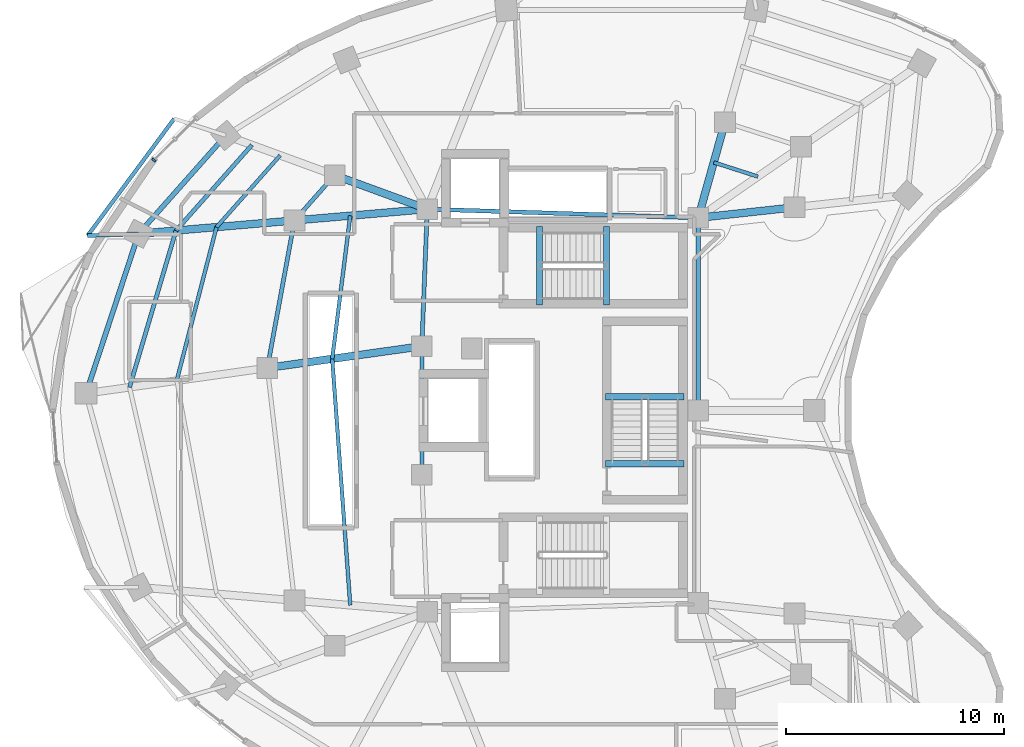
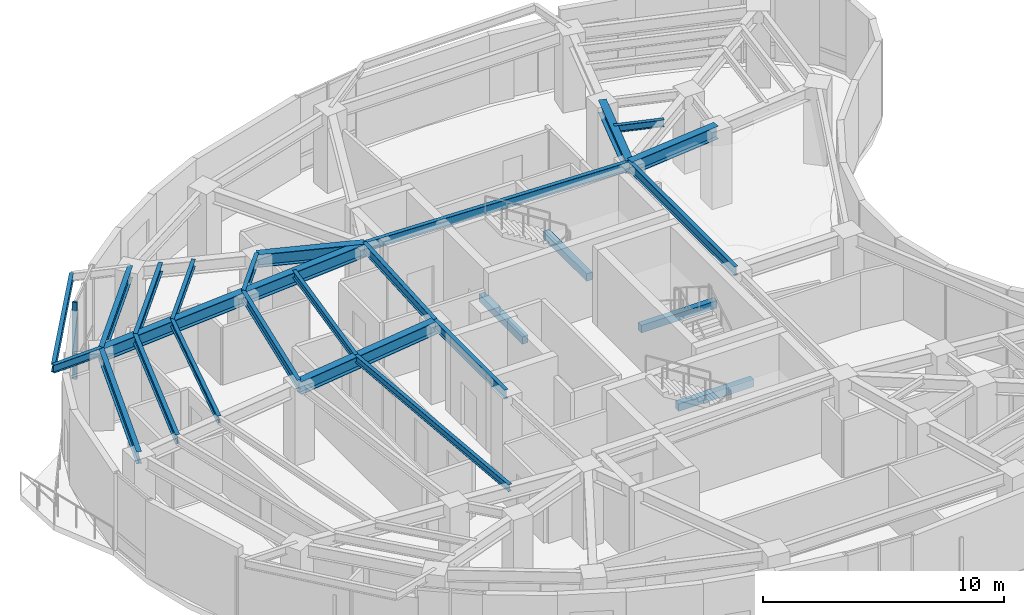
# One storey, part 3 of 12: 27 beams, 1 member, 1 element without a shape of its own.
"""IFC4 building model written with IfcOpenShell, lengths in metres."""

from ifc_helpers import new_model, si_unit, direction, frame, origin, origin_2d, place, context, subcontext, project, spatial, rectangle, i_section, extrude, material, layer, layer_set, material_profile, profile_set, type_object, element, aggregate, save


model = new_model("IFC4")

# Units and contexts
model_context = context("Model", 3, precision=1e-05, world=origin(), true_north=direction((0.0, 1.0)))
body_context = subcontext(model_context, "Body", "Model", "MODEL_VIEW")
ifc_project = project(units=[si_unit("LENGTHUNIT", "METRE"), si_unit("AREAUNIT", "SQUARE_METRE"), si_unit("VOLUMEUNIT", "CUBIC_METRE"), si_unit("PLANEANGLEUNIT", "RADIAN"), si_unit("MASSUNIT", "GRAM", prefix="KILO")], contexts=[model_context])

# Site, building, storey
site_placement = place(None, origin())
site = spatial("IfcSite", under=ifc_project, at=site_placement, CompositionType="ELEMENT")
building_placement = place(site_placement, origin())
building = spatial("IfcBuilding", under=site, at=building_placement, Name="Korentha Bioscience Tower", CompositionType="ELEMENT")
storey_placement = place(building_placement, frame((0.0, 0.0, 179.39990234375)))
storey = spatial("IfcBuildingStorey", under=building, at=storey_placement, Name="L41", CompositionType="ELEMENT", Elevation=179.39990234375)

# Beams
ifc_material_1 = material(Name="Concrete C50", Category="concrete")
ifc_material_profile_1 = material_profile(ifc_material_1, rectangle(XDim=0.280029296875, YDim=0.3798828125, at=origin_2d()), Name="Concrete C50")
ifc_profile_set_1 = profile_set([ifc_material_profile_1], Name="Concrete C50 (ST-HB380)")
beam_type_1 = type_object("IfcBeamType", Name="Concrete Stair Header Beam RC 280x380", PredefinedType="BEAM", material=ifc_profile_set_1)
for number, where, z_axis, x_axis, name in (
    (1, (30.25, 31.85009765625, -0.18994140625), (0.0, 1.0, 0.0), (-1.0, 0.0, 0.0), "L41 ST-1 Concrete Stair Header Beam"),
    (2, (33.330078125, 31.85009765625, 1.91015625), (0.0, 1.0, 0.0), (-1.0, 0.0, 0.0), "L41 ST-1 Half-Landing Header Beam 1"),
    (3, (36.89990234375, 24.550048828125, -0.18994140625), (-1.0, 0.0, 0.0), (0.0, -1.0, 0.0), "L41 ST-3 Concrete Stair Header Beam"),
    (4, (36.89990234375, 27.6298828125, 1.91015625), (-1.0, 0.0, 0.0), (0.0, -1.0, 0.0), "L41 ST-3 Half-Landing Header Beam 1"),
):
    element("IfcBeam", number, at=place(storey_placement, frame(where, z_axis=z_axis, x_axis=x_axis)), inside=storey, type_object=beam_type_1, Name=name, PredefinedType="BEAM", context=body_context, shape_type="SweptSolid", body=[
        extrude(rectangle(XDim=0.280029296875, YDim=0.3798828125, at=origin_2d()), origin(), (0.0, 0.0, 1.0), 3.599853515625),
    ])
ifc_material_2 = material(Name="Steel S355", Category="steel")
ifc_material_profile_2 = material_profile(ifc_material_2, i_section(OverallWidth=0.18994140625, OverallDepth=0.45703125, WebThickness=0.009033203125, FlangeThickness=0.014404296875, at=origin_2d()), Name="Steel S355")
ifc_profile_set_2 = profile_set([ifc_material_profile_2], Name="Steel S355 (MB-460)")
beam_type_2 = type_object("IfcBeamType", Name="Mid-Ring Tie Girder W460x74", PredefinedType="BEAM", material=ifc_profile_set_2)
beam_1_placement = place(storey_placement, frame((20.84228515625, 37.807861328125, 3.671630859375), z_axis=(-0.663512238321, -0.748165429299, 0.0), x_axis=(0.748165429299, -0.663512238321, 0.0)))
element("IfcBeam", 5, at=beam_1_placement, inside=storey, type_object=beam_type_2, Name="L41 Mid-Ring Tie Girder 05", PredefinedType="BEAM", context=body_context, shape_type="SweptSolid", body=[
    extrude(i_section(OverallWidth=0.18994140625, OverallDepth=0.45703125, WebThickness=0.009033203125, FlangeThickness=0.014404296875, at=origin_2d()), origin(), (0.0, 0.0, 1.0), 2.77734375),
])
beam_2_placement = place(storey_placement, frame((18.99951171875, 35.72998046875, 3.671630859375), z_axis=(-0.180880998363, -0.98350498953, 0.0), x_axis=(0.98350498953, -0.180880998363, 0.0)))
element("IfcBeam", 6, at=beam_2_placement, inside=storey, type_object=beam_type_2, Name="L41 Mid-Ring Tie Girder 06", PredefinedType="BEAM", context=body_context, shape_type="SweptSolid", body=[
    extrude(i_section(OverallWidth=0.18994140625, OverallDepth=0.45703125, WebThickness=0.009033203125, FlangeThickness=0.014404296875, at=origin_2d()), origin(), (0.0, 0.0, 1.0), 6.888916015625),
])
beam_3_placement = place(storey_placement, frame((37.550048828125, 35.85009765625, 3.671630859375), z_axis=(-0.999484526071, 0.032104238723, 0.0), x_axis=(-0.032104238723, -0.999484526071, 0.0)))
element("IfcBeam", 7, at=beam_3_placement, inside=storey, type_object=beam_type_2, Name="L41 Core Ring Tie Girder 01", PredefinedType="BEAM", context=body_context, shape_type="SweptSolid", body=[
    extrude(i_section(OverallWidth=0.18994140625, OverallDepth=0.45703125, WebThickness=0.009033203125, FlangeThickness=0.014404296875, at=origin_2d()), origin(), (0.0, 0.0, 1.0), 12.456298828125),
])
beam_4_placement = place(storey_placement, frame((25.10009765625, 36.25, 3.671630859375), z_axis=(-0.039651025576, -0.999213588864, 0.0), x_axis=(0.999213588864, -0.039651025576, 0.0)))
element("IfcBeam", 8, at=beam_4_placement, inside=storey, type_object=beam_type_2, Name="L41 Core Ring Tie Girder 02", PredefinedType="BEAM", context=body_context, shape_type="SweptSolid", body=[
    extrude(i_section(OverallWidth=0.18994140625, OverallDepth=0.45703125, WebThickness=0.009033203125, FlangeThickness=0.014404296875, at=origin_2d()), origin(), (0.0, 0.0, 1.0), 6.304931640625),
])
beam_5_placement = place(storey_placement, frame((24.85009765625, 29.949951171875, 3.671630859375), z_axis=(0.0, -1.0, 0.0), x_axis=(1.0, 0.0, 0.0)))
element("IfcBeam", 9, at=beam_5_placement, inside=storey, type_object=beam_type_2, Name="L41 Core Ring Tie Girder 03", PredefinedType="BEAM", context=body_context, shape_type="SweptSolid", body=[
    extrude(i_section(OverallWidth=0.18994140625, OverallDepth=0.45703125, WebThickness=0.009033203125, FlangeThickness=0.014404296875, at=origin_2d()), origin(), (0.0, 0.0, 1.0), 5.89990234375),
])
beam_6_placement = place(storey_placement, frame((37.550048828125, 27.0, 3.671630859375), z_axis=(0.0, 1.0, 0.0), x_axis=(-1.0, 0.0, 0.0)))
element("IfcBeam", 10, at=beam_6_placement, inside=storey, type_object=beam_type_2, Name="L41 Core Ring Tie Girder 07", PredefinedType="BEAM", context=body_context, shape_type="SweptSolid", body=[
    extrude(i_section(OverallWidth=0.18994140625, OverallDepth=0.45703125, WebThickness=0.009033203125, FlangeThickness=0.014404296875, at=origin_2d()), origin(), (0.0, 0.0, 1.0), 8.85009765625),
])

# Curtain wall, member
ifc_material_3 = material(Name="Thermally Broken Aluminium Frame", Category="aluminium")
ifc_layer = layer(ifc_material_3, 0.219970703125, Name="Thermally Broken Aluminium Frame")
ifc_layer_set = layer_set([ifc_layer], Name="Thermally Broken Aluminium Frame (CW-T1)")
curtain_wall_type = type_object("IfcCurtainWallType", Name="Standard Bioscience Lab Unitised Curtain Wall CW-T1", PredefinedType="USERDEFINED", material=ifc_layer_set)
curtain_wall_placement = place(storey_placement, origin())
curtain_wall = element("IfcCurtainWall", 11, at=curtain_wall_placement, inside=storey, type_object=curtain_wall_type, Name="L41 Curtain Wall 13", ObjectType="UNITISED", PredefinedType="USERDEFINED")
ifc_material_4 = material(Name="Anodised Aluminium 6063-T6", Category="aluminium")
ifc_material_profile_3 = material_profile(ifc_material_4, rectangle(XDim=0.090087890625, YDim=0.199951171875, at=origin_2d()), Name="Anodised Aluminium 6063-T6")
ifc_profile_set_3 = profile_set([ifc_material_profile_3], Name="Anodised Aluminium 6063-T6 (CW-MUL)")
member_type = type_object("IfcMemberType", Name="Mullion RECT 90x200", PredefinedType="MULLION", material=ifc_profile_set_3)
member_placement = place(storey_placement, frame((12.53515625, 38.502685546875, 0.0), z_axis=(0.0, 0.0, 1.0), x_axis=(-0.711460557971, -0.702726030862, 0.0)))
member = element("IfcMember", 12, at=member_placement, type_object=member_type, Name="CW-L41-13 Mullion 3", PredefinedType="MULLION", context=body_context, shape_type="SweptSolid", body=[
    extrude(rectangle(XDim=0.090087890625, YDim=0.199951171875, at=origin_2d()), origin(), (0.0, 0.0, 1.0), 3.900146484375),
])
aggregate(curtain_wall, [member])

# Beams
ifc_material_profile_4 = material_profile(ifc_material_2, i_section(OverallWidth=0.22802734375, OverallDepth=0.60791015625, WebThickness=0.01123046875, FlangeThickness=0.017333984375, at=origin_2d()), Name="Steel S355")
ifc_profile_set_4 = profile_set([ifc_material_profile_4], Name="Steel S355 (SB-610)")
beam_type_3 = type_object("IfcBeamType", Name="Perimeter Ring Spandrel Girder W610x113", PredefinedType="SPANDREL", material=ifc_profile_set_4)
beam_7_placement = place(storey_placement, frame((15.843994140625, 39.63671875, 3.59619140625), z_axis=(-0.663502544942, -0.748174025782, 0.0), x_axis=(0.748174025782, -0.663502544942, 0.0)))
element("IfcBeam", 13, at=beam_7_placement, inside=storey, type_object=beam_type_3, Name="L41 Perimeter Spandrel Girder 05", PredefinedType="SPANDREL", context=body_context, shape_type="SweptSolid", body=[
    extrude(i_section(OverallWidth=0.22802734375, OverallDepth=0.60791015625, WebThickness=0.01123046875, FlangeThickness=0.017333984375, at=origin_2d()), origin(), (0.0, 0.0, 1.0), 6.037841796875),
])
beam_8_placement = place(storey_placement, frame((11.837890625, 35.119384765625, 3.59619140625), z_axis=(-0.312820215824, -0.949812356506, 0.0), x_axis=(0.949812356506, -0.312820215824, 0.0)))
element("IfcBeam", 14, at=beam_8_placement, inside=storey, type_object=beam_type_3, Name="L41 Perimeter Spandrel Girder 06", PredefinedType="SPANDREL", context=body_context, shape_type="SweptSolid", body=[
    extrude(i_section(OverallWidth=0.22802734375, OverallDepth=0.60791015625, WebThickness=0.01123046875, FlangeThickness=0.017333984375, at=origin_2d()), origin(), (0.0, 0.0, 1.0), 7.720947265625),
])
ifc_material_profile_5 = material_profile(ifc_material_2, i_section(OverallWidth=0.18994140625, OverallDepth=0.45703125, WebThickness=0.009033203125, FlangeThickness=0.014404296875, at=origin_2d()), Name="Steel S355")
ifc_profile_set_5 = profile_set([ifc_material_profile_5], Name="Steel S355 (RB-460)")
beam_type_4 = type_object("IfcBeamType", Name="Radial Laboratory Beam W460x74", PredefinedType="BEAM", material=ifc_profile_set_5)
beam_9_placement = place(storey_placement, frame((17.043701171875, 39.197998046875, 3.671630859375), z_axis=(-0.663495511182, -0.748180263467, 0.0), x_axis=(0.748180263467, -0.663495511182, 0.0)))
element("IfcBeam", 15, at=beam_9_placement, inside=storey, type_object=beam_type_4, Name="L41 Secondary Floor Beam JSTO-05", PredefinedType="BEAM", context=body_context, shape_type="SweptSolid", body=[
    extrude(i_section(OverallWidth=0.18994140625, OverallDepth=0.45703125, WebThickness=0.009033203125, FlangeThickness=0.014404296875, at=origin_2d()), origin(), (0.0, 0.0, 1.0), 5.255615234375),
])
beam_10_placement = place(storey_placement, frame((13.556640625, 35.265869140625, 3.671630859375), z_axis=(-0.284283148615, -0.958740367051, 0.0), x_axis=(0.958740367051, -0.284283148615, 0.0)))
element("IfcBeam", 16, at=beam_10_placement, inside=storey, type_object=beam_type_4, Name="L41 Secondary Floor Beam JSTO-06", PredefinedType="BEAM", context=body_context, shape_type="SweptSolid", body=[
    extrude(i_section(OverallWidth=0.18994140625, OverallDepth=0.45703125, WebThickness=0.009033203125, FlangeThickness=0.014404296875, at=origin_2d()), origin(), (0.0, 0.0, 1.0), 7.50927734375),
])
ifc_material_profile_6 = material_profile(ifc_material_2, i_section(OverallWidth=0.35009765625, OverallDepth=0.64990234375, WebThickness=0.01611328125, FlangeThickness=0.02490234375, at=origin_2d()), Name="Steel S355")
ifc_profile_set_6 = profile_set([ifc_material_profile_6], Name="Steel S355 (RB-650)")
beam_type_5 = type_object("IfcBeamType", Name="Radial Laboratory Girder CVS 650x208", PredefinedType="BEAM", material=ifc_profile_set_6)
beam_11_placement = place(storey_placement, frame((37.550048828125, 35.85009765625, 3.5751953125), z_axis=(0.269477001654, 0.963006825303, 0.0), x_axis=(-0.963006825303, 0.269477001654, 0.0)))
element("IfcBeam", 17, at=beam_11_placement, inside=storey, type_object=beam_type_5, Name="L41 Inner Radial Girder 02", PredefinedType="BEAM", context=body_context, shape_type="SweptSolid", body=[
    extrude(i_section(OverallWidth=0.35009765625, OverallDepth=0.64990234375, WebThickness=0.01611328125, FlangeThickness=0.02490234375, at=origin_2d()), origin(), (0.0, 0.0, 1.0), 4.559814453125),
])
beam_12_placement = place(storey_placement, frame((25.10009765625, 36.25, 3.5751953125), z_axis=(-0.939113952431, 0.343605856105, 0.0), x_axis=(-0.343605856105, -0.939113952431, 0.0)))
element("IfcBeam", 18, at=beam_12_placement, inside=storey, type_object=beam_type_5, Name="L41 Inner Radial Girder 05", PredefinedType="BEAM", context=body_context, shape_type="SweptSolid", body=[
    extrude(i_section(OverallWidth=0.35009765625, OverallDepth=0.64990234375, WebThickness=0.01611328125, FlangeThickness=0.02490234375, at=origin_2d()), origin(), (0.0, 0.0, 1.0), 4.533935546875),
])
beam_13_placement = place(storey_placement, frame((25.10009765625, 36.25, 3.5751953125), z_axis=(-0.996386672138, -0.084932912264, 0.0), x_axis=(0.084932912264, -0.996386672138, 0.0)))
element("IfcBeam", 19, at=beam_13_placement, inside=storey, type_object=beam_type_5, Name="L41 Inner Radial Girder 06", PredefinedType="BEAM", context=body_context, shape_type="SweptSolid", body=[
    extrude(i_section(OverallWidth=0.35009765625, OverallDepth=0.64990234375, WebThickness=0.01611328125, FlangeThickness=0.02490234375, at=origin_2d()), origin(), (0.0, 0.0, 1.0), 6.122802734375),
])
beam_14_placement = place(storey_placement, frame((18.99951171875, 35.72998046875, 3.5751953125), z_axis=(-0.996385111181, -0.084951222577, 0.0), x_axis=(0.084951222577, -0.996385111181, 0.0)))
element("IfcBeam", 20, at=beam_14_placement, inside=storey, type_object=beam_type_5, Name="L41 Outer Radial Girder 06", PredefinedType="BEAM", context=body_context, shape_type="SweptSolid", body=[
    extrude(i_section(OverallWidth=0.35009765625, OverallDepth=0.64990234375, WebThickness=0.01611328125, FlangeThickness=0.02490234375, at=origin_2d()), origin(), (0.0, 0.0, 1.0), 7.1875),
])
beam_15_placement = place(storey_placement, frame((24.85009765625, 29.949951171875, 3.5751953125), z_axis=(-0.990306724295, -0.138897774699, 0.0), x_axis=(0.138897774699, -0.990306724295, 0.0)))
element("IfcBeam", 21, at=beam_15_placement, inside=storey, type_object=beam_type_5, Name="L41 Inner Radial Girder 07", PredefinedType="BEAM", context=body_context, shape_type="SweptSolid", body=[
    extrude(i_section(OverallWidth=0.35009765625, OverallDepth=0.64990234375, WebThickness=0.01611328125, FlangeThickness=0.02490234375, at=origin_2d()), origin(), (0.0, 0.0, 1.0), 7.166259765625),
])
beam_16_placement = place(storey_placement, frame((37.550048828125, 35.85009765625, 3.5751953125), z_axis=(0.994118939953, 0.108293735857, 0.0), x_axis=(-0.108293735857, 0.994118939953, 0.0)))
element("IfcBeam", 22, at=beam_16_placement, inside=storey, type_object=beam_type_5, Name="L41 Inner Radial Girder 16", PredefinedType="BEAM", context=body_context, shape_type="SweptSolid", body=[
    extrude(i_section(OverallWidth=0.35009765625, OverallDepth=0.64990234375, WebThickness=0.01611328125, FlangeThickness=0.02490234375, at=origin_2d()), origin(), (0.0, 0.0, 1.0), 4.4501953125),
])
ifc_material_profile_7 = material_profile(ifc_material_2, i_section(OverallWidth=0.1708984375, OverallDepth=0.35498046875, WebThickness=0.007080078125, FlangeThickness=0.01171875, at=origin_2d()), Name="Steel S355")
ifc_profile_set_7 = profile_set([ifc_material_profile_7], Name="Steel S355 (JB-360)")
beam_type_6 = type_object("IfcBeamType", Name="Secondary Laboratory Joist W360x51", PredefinedType="JOIST", material=ifc_profile_set_7)
beam_17_placement = place(storey_placement, frame((40.290283203125, 37.7451171875, 3.72265625), z_axis=(-0.952010669267, 0.306064838885, 0.0), x_axis=(-0.306064838885, -0.952010669267, 0.0)))
element("IfcBeam", 23, at=beam_17_placement, inside=storey, type_object=beam_type_6, Name="L41 Inner Bay Joist 01", PredefinedType="JOIST", context=body_context, shape_type="SweptSolid", body=[
    extrude(i_section(OverallWidth=0.1708984375, OverallDepth=0.35498046875, WebThickness=0.007080078125, FlangeThickness=0.01171875, at=origin_2d()), origin(), (0.0, 0.0, 1.0), 2.1298828125),
])
beam_18_placement = place(storey_placement, frame((18.343017578125, 38.722412109375, 3.72265625), z_axis=(-0.663462598754, -0.748209449322, 0.0), x_axis=(0.748209449322, -0.663462598754, 0.0)))
element("IfcBeam", 24, at=beam_18_placement, inside=storey, type_object=beam_type_6, Name="L41 Secondary Floor Beam JST-05", PredefinedType="JOIST", context=body_context, shape_type="SweptSolid", body=[
    extrude(i_section(OverallWidth=0.1708984375, OverallDepth=0.35498046875, WebThickness=0.007080078125, FlangeThickness=0.01171875, at=origin_2d()), origin(), (0.0, 0.0, 1.0), 4.40771484375),
])
beam_19_placement = place(storey_placement, frame((15.418701171875, 35.424560546875, 3.72265625), z_axis=(-0.251203958933, -0.967934177006, 0.0), x_axis=(0.967934177006, -0.251203958933, 0.0)))
element("IfcBeam", 25, at=beam_19_placement, inside=storey, type_object=beam_type_6, Name="L41 Secondary Floor Beam JST-06", PredefinedType="JOIST", context=body_context, shape_type="SweptSolid", body=[
    extrude(i_section(OverallWidth=0.1708984375, OverallDepth=0.35498046875, WebThickness=0.007080078125, FlangeThickness=0.01171875, at=origin_2d()), origin(), (0.0, 0.0, 1.0), 7.2880859375),
])
beam_20_placement = place(storey_placement, frame((21.561767578125, 35.9482421875, 3.72265625), z_axis=(-0.124914239886, -0.992167542643, 0.0), x_axis=(0.992167542643, -0.124914239886, 0.0)))
element("IfcBeam", 26, at=beam_20_placement, inside=storey, type_object=beam_type_6, Name="L41 Inner Bay Joist 06", PredefinedType="JOIST", context=body_context, shape_type="SweptSolid", body=[
    extrude(i_section(OverallWidth=0.1708984375, OverallDepth=0.35498046875, WebThickness=0.007080078125, FlangeThickness=0.01171875, at=origin_2d()), origin(), (0.0, 0.0, 1.0), 6.627685546875),
])
beam_21_placement = place(storey_placement, frame((20.73388671875, 29.37255859375, 3.72265625), z_axis=(0.072934416258, -0.997336738983, 0.0), x_axis=(0.997336738983, 0.072934416258, 0.0)))
element("IfcBeam", 27, at=beam_21_placement, inside=storey, type_object=beam_type_6, Name="L41 Inner Bay Joist 07", PredefinedType="JOIST", context=body_context, shape_type="SweptSolid", body=[
    extrude(i_section(OverallWidth=0.1708984375, OverallDepth=0.35498046875, WebThickness=0.007080078125, FlangeThickness=0.01171875, at=origin_2d()), origin(), (0.0, 0.0, 1.0), 11.35107421875),
])
ifc_material_profile_8 = material_profile(ifc_material_2, i_section(OverallWidth=0.177978515625, OverallDepth=0.406982421875, WebThickness=0.0078125, FlangeThickness=0.0126953125, at=origin_2d()), Name="Steel S355")
ifc_profile_set_8 = profile_set([ifc_material_profile_8], Name="Steel S355 (CB-410)")
beam_type_7 = type_object("IfcBeamType", Name="Sun-Ledge Cantilever Beam W410x60", PredefinedType="BEAM", material=ifc_profile_set_8)
beam_22_placement = place(storey_placement, frame((11.837890625, 35.119384765625, 3.698486328125), z_axis=(-0.999315262024, -0.037000095747, 0.0), x_axis=(0.037000095747, -0.999315262024, 0.0)))
element("IfcBeam", 28, at=beam_22_placement, inside=storey, type_object=beam_type_7, Name="L41 Balcony Cantilever Bracket B-L42-02", PredefinedType="BEAM", context=body_context, shape_type="SweptSolid", body=[
    extrude(i_section(OverallWidth=0.177978515625, OverallDepth=0.406982421875, WebThickness=0.0078125, FlangeThickness=0.0126953125, at=origin_2d()), origin(), (0.0, 0.0, 1.0), 2.342529296875),
])
beam_23_placement = place(storey_placement, frame((13.47412109375, 40.404296875, 3.698486328125), z_axis=(-0.595044085343, -0.803693061124, 0.0), x_axis=(0.803693061124, -0.595044085343, 0.0)))
element("IfcBeam", 29, at=beam_23_placement, inside=storey, type_object=beam_type_7, Name="L41 Balcony Edge Trimmer Beam L42-02", PredefinedType="BEAM", context=body_context, shape_type="SweptSolid", body=[
    extrude(i_section(OverallWidth=0.177978515625, OverallDepth=0.406982421875, WebThickness=0.0078125, FlangeThickness=0.0126953125, at=origin_2d()), origin(), (0.0, 0.0, 1.0), 6.68359375),
])

save(model, "model.ifc")
